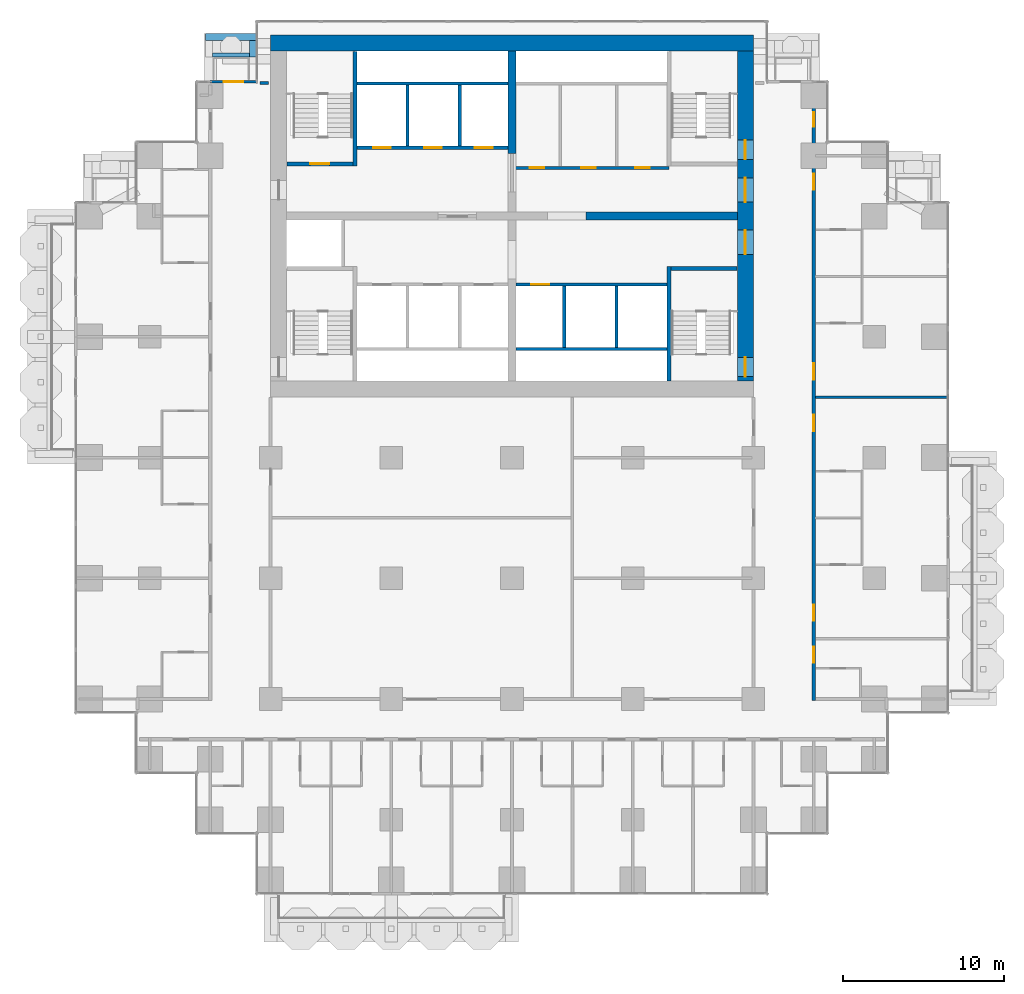
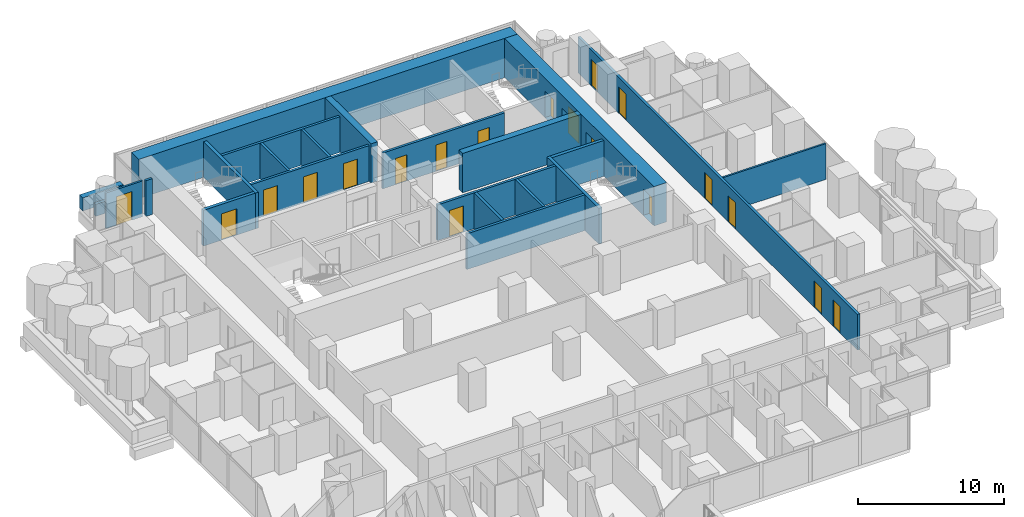
# One storey, part 13 of 17: 24 walls, 19 doors, 19 openings.
"""IFC4 building model written with IfcOpenShell, lengths in metres."""

from ifc_helpers import new_model, si_unit, direction, frame, frame_2d, origin, place, context, subcontext, project, spatial, rectangle, extrude, material, layer, layer_set, type_object, element, fill, save


model = new_model("IFC4")

# Units and contexts
model_context = context("Model", 3, precision=1e-05, world=origin(), true_north=direction((0.0, 1.0)))
body_context = subcontext(model_context, "Body", "Model", "MODEL_VIEW")
ifc_project = project(units=[si_unit("LENGTHUNIT", "METRE"), si_unit("AREAUNIT", "SQUARE_METRE"), si_unit("VOLUMEUNIT", "CUBIC_METRE"), si_unit("PLANEANGLEUNIT", "RADIAN"), si_unit("MASSUNIT", "GRAM", prefix="KILO")], contexts=[model_context])

# Site, building, storey
site_placement = place(None, origin())
site = spatial("IfcSite", under=ifc_project, at=site_placement, CompositionType="ELEMENT")
building_placement = place(site_placement, origin())
building = spatial("IfcBuilding", under=site, at=building_placement, Name="Pilkhan Gate Tower", CompositionType="ELEMENT")
storey_placement = place(building_placement, frame((0.0, 0.0, 49.39990234375)))
storey = spatial("IfcBuildingStorey", under=building, at=storey_placement, Name="L09", CompositionType="ELEMENT", Elevation=49.39990234375)

# Walls
ifc_material_1 = material(Name="Concrete C40/50", Category="concrete")
ifc_layer_1 = layer(ifc_material_1, 0.25)
ifc_layer_set_1 = layer_set([ifc_layer_1], Name="Balcony planter BP250")
wall_type_1 = type_object("IfcWallType", Name="Balcony planter BP250", PredefinedType="USERDEFINED", material=ifc_layer_set_1)
wall_1_placement = place(storey_placement, frame((56.39990234375, 92.52490234375, 0.0), z_axis=(0.0, 0.0, 1.0), x_axis=(1.0, 0.0, 0.0)))
element("IfcWall", 1, at=wall_1_placement, inside=storey, type_object=wall_type_1, Name="Balcony planter L09 N", ObjectType="BALCONY PLANTER", PredefinedType="USERDEFINED", context=body_context, shape_type="SweptSolid", body=[
    extrude(rectangle(XDim=2.300048828125, YDim=0.25, at=frame_2d((1.14990234375, 0.0))), origin(), (0.0, 0.0, 1.0), 1.0),
])
ifc_material_2 = material(Name="Board-marked Concrete C40/50", Category="concrete")
ifc_layer_2 = layer(ifc_material_2, 0.449951171875)
ifc_layer_set_2 = layer_set([ifc_layer_2], Name="Balcony planter lip BL450")
wall_type_2 = type_object("IfcWallType", Name="Balcony planter lip BL450", PredefinedType="USERDEFINED", material=ifc_layer_set_2)
wall_2_placement = place(storey_placement, frame((55.949951171875, 93.625, 0.0), z_axis=(0.0, 0.0, 1.0), x_axis=(1.0, 0.0, 0.0)))
element("IfcWall", 2, at=wall_2_placement, inside=storey, type_object=wall_type_2, Name="Balcony planter L09 N", ObjectType="BALCONY PLANTER", PredefinedType="USERDEFINED", context=body_context, shape_type="SweptSolid", body=[
    extrude(rectangle(XDim=3.199951171875, YDim=0.449951171875, at=frame_2d((1.60009765625, 0.0))), origin(), (0.0, 0.0, 1.0), 1.10009765625),
])
wall_3_placement = place(storey_placement, frame((58.925048828125, 92.39990234375, 0.0), z_axis=(0.0, 0.0, 1.0), x_axis=(0.0, 1.0, 0.0)))
element("IfcWall", 3, at=wall_3_placement, inside=storey, type_object=wall_type_2, Name="Balcony planter L09 N", ObjectType="BALCONY PLANTER", PredefinedType="USERDEFINED", context=body_context, shape_type="SweptSolid", body=[
    extrude(rectangle(XDim=1.0, YDim=0.449951171875, at=frame_2d((0.5, 0.0))), origin(), (0.0, 0.0, 1.0), 1.10009765625),
])

# Wall, openings, doors
ifc_material_3 = material(Name="Concrete C70/85", Category="concrete")
ifc_layer_3 = layer(ifc_material_3, 1.0)
ifc_layer_set_3 = layer_set([ifc_layer_3], Name="Core wall CW1000 C70/85")
wall_type_3 = type_object("IfcWallType", Name="Core wall CW1000 C70/85", PredefinedType="SHEAR", material=ifc_layer_set_3)
wall_4_placement = place(storey_placement, frame((89.5, 72.25, 0.0), z_axis=(0.0, 0.0, 1.0), x_axis=(0.0, 1.0, 0.0)))
wall_4 = element("IfcWall", 4, at=wall_4_placement, inside=storey, type_object=wall_type_3, Name="Core wall E L09", PredefinedType="SHEAR", context=body_context, shape_type="SweptSolid", body=[
    extrude(rectangle(XDim=20.5, YDim=1.0, at=frame_2d((10.25, 0.0))), origin(), (0.0, 0.0, 1.0), 3.300048828125),
])
opening_1_placement = place(wall_4_placement, frame((0.27490234375, 0.0, 0.0)))
opening_1 = element("IfcOpeningElement", 5, at=opening_1_placement, cuts=wall_4, Name="Opening L09-03", PredefinedType="OPENING", context=body_context, shape_type="SweptSolid", body=[
    extrude(rectangle(XDim=1.199951171875, YDim=2.199951171875, at=frame_2d((0.60009765625, 1.10009765625))), frame((0.0, 0.510009765625, 0.0), z_axis=(0.0, -1.0, 0.0), x_axis=(1.0, 0.0, 0.0)), (0.0, 0.0, 1.0), 1.02001953125),
])
opening_2_placement = place(wall_4_placement, frame((13.77490234375, 0.0, 0.0)))
opening_2 = element("IfcOpeningElement", 6, at=opening_2_placement, cuts=wall_4, Name="Opening L09-05", PredefinedType="OPENING", context=body_context, shape_type="SweptSolid", body=[
    extrude(rectangle(XDim=1.199951171875, YDim=2.199951171875, at=frame_2d((0.60009765625, 1.10009765625))), frame((0.0, 0.510009765625, 0.0), z_axis=(0.0, -1.0, 0.0), x_axis=(1.0, 0.0, 0.0)), (0.0, 0.0, 1.0), 1.02001953125),
])
opening_3_placement = place(wall_4_placement, frame((7.875, 0.0, 0.0)))
opening_3 = element("IfcOpeningElement", 7, at=opening_3_placement, cuts=wall_4, Name="Opening L09-46", PredefinedType="OPENING", context=body_context, shape_type="SweptSolid", body=[
    extrude(rectangle(XDim=1.5, YDim=2.199951171875, at=frame_2d((0.75, 1.10009765625))), frame((0.0, 0.510009765625, 0.0), z_axis=(0.0, -1.0, 0.0), x_axis=(1.0, 0.0, 0.0)), (0.0, 0.0, 1.0), 1.02001953125),
])
opening_4_placement = place(wall_4_placement, frame((11.125, 0.0, 0.0)))
opening_4 = element("IfcOpeningElement", 8, at=opening_4_placement, cuts=wall_4, Name="Opening L09-48", PredefinedType="OPENING", context=body_context, shape_type="SweptSolid", body=[
    extrude(rectangle(XDim=1.5, YDim=2.199951171875, at=frame_2d((0.75, 1.10009765625))), frame((0.0, 0.510009765625, 0.0), z_axis=(0.0, -1.0, 0.0), x_axis=(1.0, 0.0, 0.0)), (0.0, 0.0, 1.0), 1.02001953125),
])
ifc_material_4 = material(Name="Steel framed glazed door, 60 minute fire resisting", Category="steel")
door_type_1 = type_object("IfcDoorType", Name="Lobby door D09 1500x2200", OperationType="DOUBLE_DOOR_SINGLE_SWING", PredefinedType="DOOR", material=ifc_material_4)
door_1_placement = place(opening_3_placement, origin())
door_1 = element("IfcDoor", 9, at=door_1_placement, inside=storey, type_object=door_type_1, Name="Core door", OperationType="DOUBLE_DOOR_SINGLE_SWING", OverallHeight=2.199951171875, OverallWidth=1.5, PredefinedType="DOOR", context=body_context, shape_type="SweptSolid", body=[
    extrude(rectangle(XDim=1.5, YDim=2.199951171875, at=frame_2d((0.75, 1.10009765625))), frame((0.0, 0.02490234375, 0.0), z_axis=(0.0, -1.0, 0.0), x_axis=(1.0, 0.0, 0.0)), (0.0, 0.0, 1.0), 0.050048828125),
])
fill(opening_3, door_1)
door_2_placement = place(opening_4_placement, origin())
door_2 = element("IfcDoor", 10, at=door_2_placement, inside=storey, type_object=door_type_1, Name="Core door", OperationType="DOUBLE_DOOR_SINGLE_SWING", OverallHeight=2.199951171875, OverallWidth=1.5, PredefinedType="DOOR", context=body_context, shape_type="SweptSolid", body=[
    extrude(rectangle(XDim=1.5, YDim=2.199951171875, at=frame_2d((0.75, 1.10009765625))), frame((0.0, 0.02490234375, 0.0), z_axis=(0.0, -1.0, 0.0), x_axis=(1.0, 0.0, 0.0)), (0.0, 0.0, 1.0), 0.050048828125),
])
fill(opening_4, door_2)
ifc_material_5 = material(Name="Steel door, 120 minute fire resisting, panic bar", Category="steel")
door_type_2 = type_object("IfcDoorType", Name="Stair door D11 1200x2200", OperationType="SINGLE_SWING_LEFT", PredefinedType="DOOR", material=ifc_material_5)
door_3_placement = place(opening_1_placement, origin())
door_3 = element("IfcDoor", 11, at=door_3_placement, inside=storey, type_object=door_type_2, Name="Stair ST1 door", OperationType="SINGLE_SWING_LEFT", OverallHeight=2.199951171875, OverallWidth=1.199951171875, PredefinedType="DOOR", context=body_context, shape_type="SweptSolid", body=[
    extrude(rectangle(XDim=1.199951171875, YDim=2.199951171875, at=frame_2d((0.60009765625, 1.10009765625))), frame((0.0, 0.02490234375, 0.0), z_axis=(0.0, -1.0, 0.0), x_axis=(1.0, 0.0, 0.0)), (0.0, 0.0, 1.0), 0.050048828125),
])
fill(opening_1, door_3)
door_4_placement = place(opening_2_placement, origin())
door_4 = element("IfcDoor", 12, at=door_4_placement, inside=storey, type_object=door_type_2, Name="Stair ST4 door", OperationType="SINGLE_SWING_RIGHT", OverallHeight=2.199951171875, OverallWidth=1.199951171875, PredefinedType="DOOR", context=body_context, shape_type="SweptSolid", body=[
    extrude(rectangle(XDim=1.199951171875, YDim=2.199951171875, at=frame_2d((0.60009765625, 1.10009765625))), frame((0.0, 0.02490234375, 0.0), z_axis=(0.0, -1.0, 0.0), x_axis=(1.0, 0.0, 0.0)), (0.0, 0.0, 1.0), 0.050048828125),
])
fill(opening_2, door_4)

# Walls
wall_5_placement = place(storey_placement, frame((90.0, 93.25, 0.0), z_axis=(0.0, 0.0, 1.0), x_axis=(-1.0, 0.0, 0.0)))
element("IfcWall", 13, at=wall_5_placement, inside=storey, type_object=wall_type_3, Name="Core wall N L09", PredefinedType="SHEAR", context=body_context, shape_type="SweptSolid", body=[
    extrude(rectangle(XDim=30.0, YDim=1.0, at=frame_2d((15.0, 0.0))), origin(), (0.0, 0.0, 1.0), 3.300048828125),
])
ifc_material_6 = material(Name="Dense blockwork", Category="masonry")
ifc_layer_4 = layer(ifc_material_6, 0.199951171875)
ifc_layer_set_4 = layer_set([ifc_layer_4], Name="Corridor wall FW200")
wall_type_4 = type_object("IfcWallType", Name="Corridor wall FW200", PredefinedType="PARTITIONING", material=ifc_layer_set_4)
wall_6_placement = place(storey_placement, frame((59.35498046875, 90.764892578125, 0.0), z_axis=(0.0, 0.0, 1.0), x_axis=(1.0, 0.0, 0.0)))
element("IfcWall", 14, at=wall_6_placement, inside=storey, type_object=wall_type_4, Name="Partition L09", PredefinedType="PARTITIONING", context=body_context, shape_type="SweptSolid", body=[
    extrude(rectangle(XDim=0.52490234375, YDim=0.199951171875, at=frame_2d((0.262451171875, 0.0))), origin(), (0.0, 0.0, 1.0), 3.0),
])

# Wall, openings, doors
wall_7_placement = place(storey_placement, frame((93.75, 52.39990234375, 0.0), z_axis=(0.0, 0.0, 1.0), x_axis=(0.0, 1.0, 0.0)))
wall_7 = element("IfcWall", 15, at=wall_7_placement, inside=storey, type_object=wall_type_4, Name="Partition L09", PredefinedType="PARTITIONING", context=body_context, shape_type="SweptSolid", body=[
    extrude(rectangle(XDim=38.364990234375, YDim=0.199951171875, at=frame_2d((19.1826171875, 0.0))), origin(), (0.0, 0.0, 1.0), 3.0),
])
opening_5_placement = place(wall_7_placement, frame((2.35009765625, 0.0, 0.0)))
opening_5 = element("IfcOpeningElement", 16, at=opening_5_placement, cuts=wall_7, Name="Opening L09-36", PredefinedType="OPENING", context=body_context, shape_type="SweptSolid", body=[
    extrude(rectangle(XDim=1.0, YDim=2.199951171875, at=frame_2d((0.5, 1.10009765625))), frame((0.0, 0.10986328125, 0.0), z_axis=(0.0, -1.0, 0.0), x_axis=(1.0, 0.0, 0.0)), (0.0, 0.0, 1.0), 0.219970703125),
])
opening_6_placement = place(wall_7_placement, frame((4.949951171875, 0.0, 0.0)))
opening_6 = element("IfcOpeningElement", 17, at=opening_6_placement, cuts=wall_7, Name="Opening L09-38", PredefinedType="OPENING", context=body_context, shape_type="SweptSolid", body=[
    extrude(rectangle(XDim=1.0, YDim=2.199951171875, at=frame_2d((0.5, 1.10009765625))), frame((0.0, 0.10986328125, 0.0), z_axis=(0.0, -1.0, 0.0), x_axis=(1.0, 0.0, 0.0)), (0.0, 0.0, 1.0), 0.219970703125),
])
opening_7_placement = place(wall_7_placement, frame((16.75, 0.0, 0.0)))
opening_7 = element("IfcOpeningElement", 18, at=opening_7_placement, cuts=wall_7, Name="Opening L09-40", PredefinedType="OPENING", context=body_context, shape_type="SweptSolid", body=[
    extrude(rectangle(XDim=1.0, YDim=2.199951171875, at=frame_2d((0.5, 1.10009765625))), frame((0.0, 0.10986328125, 0.0), z_axis=(0.0, -1.0, 0.0), x_axis=(1.0, 0.0, 0.0)), (0.0, 0.0, 1.0), 0.219970703125),
])
opening_8_placement = place(wall_7_placement, frame((19.949951171875, 0.0, 0.0)))
opening_8 = element("IfcOpeningElement", 19, at=opening_8_placement, cuts=wall_7, Name="Opening L09-42", PredefinedType="OPENING", context=body_context, shape_type="SweptSolid", body=[
    extrude(rectangle(XDim=1.0, YDim=2.199951171875, at=frame_2d((0.5, 1.10009765625))), frame((0.0, 0.10986328125, 0.0), z_axis=(0.0, -1.0, 0.0), x_axis=(1.0, 0.0, 0.0)), (0.0, 0.0, 1.0), 0.219970703125),
])
opening_9_placement = place(wall_7_placement, frame((31.75, 0.0, 0.0)))
opening_9 = element("IfcOpeningElement", 20, at=opening_9_placement, cuts=wall_7, Name="Opening L09-44", PredefinedType="OPENING", context=body_context, shape_type="SweptSolid", body=[
    extrude(rectangle(XDim=1.0, YDim=2.199951171875, at=frame_2d((0.5, 1.10009765625))), frame((0.0, 0.10986328125, 0.0), z_axis=(0.0, -1.0, 0.0), x_axis=(1.0, 0.0, 0.0)), (0.0, 0.0, 1.0), 0.219970703125),
])
opening_10_placement = place(wall_7_placement, frame((35.64990234375, 0.0, 0.0)))
opening_10 = element("IfcOpeningElement", 21, at=opening_10_placement, cuts=wall_7, Name="Opening L09-54", PredefinedType="OPENING", context=body_context, shape_type="SweptSolid", body=[
    extrude(rectangle(XDim=0.89990234375, YDim=2.199951171875, at=frame_2d((0.449951171875, 1.10009765625))), frame((0.0, 0.10986328125, 0.0), z_axis=(0.0, -1.0, 0.0), x_axis=(1.0, 0.0, 0.0)), (0.0, 0.0, 1.0), 0.219970703125),
])
ifc_material_7 = material(Name="Timber flush door, 30 minute fire resisting", Category="wood")
door_type_3 = type_object("IfcDoorType", Name="Guest room door D01 1000x2200", OperationType="SINGLE_SWING_LEFT", PredefinedType="DOOR", material=ifc_material_7)
door_5_placement = place(opening_5_placement, origin())
door_5 = element("IfcDoor", 22, at=door_5_placement, inside=storey, type_object=door_type_3, Name="Guest room door", OperationType="SINGLE_SWING_LEFT", OverallHeight=2.199951171875, OverallWidth=1.0, PredefinedType="DOOR", context=body_context, shape_type="SweptSolid", body=[
    extrude(rectangle(XDim=1.0, YDim=2.199951171875, at=frame_2d((0.5, 1.10009765625))), frame((0.0, 0.02490234375, 0.0), z_axis=(0.0, -1.0, 0.0), x_axis=(1.0, 0.0, 0.0)), (0.0, 0.0, 1.0), 0.050048828125),
])
fill(opening_5, door_5)
door_6_placement = place(opening_6_placement, origin())
door_6 = element("IfcDoor", 23, at=door_6_placement, inside=storey, type_object=door_type_3, Name="Guest room door", OperationType="SINGLE_SWING_LEFT", OverallHeight=2.199951171875, OverallWidth=1.0, PredefinedType="DOOR", context=body_context, shape_type="SweptSolid", body=[
    extrude(rectangle(XDim=1.0, YDim=2.199951171875, at=frame_2d((0.5, 1.10009765625))), frame((0.0, 0.02490234375, 0.0), z_axis=(0.0, -1.0, 0.0), x_axis=(1.0, 0.0, 0.0)), (0.0, 0.0, 1.0), 0.050048828125),
])
fill(opening_6, door_6)
door_7_placement = place(opening_7_placement, origin())
door_7 = element("IfcDoor", 24, at=door_7_placement, inside=storey, type_object=door_type_3, Name="Guest room door", OperationType="SINGLE_SWING_RIGHT", OverallHeight=2.199951171875, OverallWidth=1.0, PredefinedType="DOOR", context=body_context, shape_type="SweptSolid", body=[
    extrude(rectangle(XDim=1.0, YDim=2.199951171875, at=frame_2d((0.5, 1.10009765625))), frame((0.0, 0.02490234375, 0.0), z_axis=(0.0, -1.0, 0.0), x_axis=(1.0, 0.0, 0.0)), (0.0, 0.0, 1.0), 0.050048828125),
])
fill(opening_7, door_7)
door_8_placement = place(opening_8_placement, origin())
door_8 = element("IfcDoor", 25, at=door_8_placement, inside=storey, type_object=door_type_3, Name="Guest room door", OperationType="SINGLE_SWING_RIGHT", OverallHeight=2.199951171875, OverallWidth=1.0, PredefinedType="DOOR", context=body_context, shape_type="SweptSolid", body=[
    extrude(rectangle(XDim=1.0, YDim=2.199951171875, at=frame_2d((0.5, 1.10009765625))), frame((0.0, 0.02490234375, 0.0), z_axis=(0.0, -1.0, 0.0), x_axis=(1.0, 0.0, 0.0)), (0.0, 0.0, 1.0), 0.050048828125),
])
fill(opening_8, door_8)
door_9_placement = place(opening_9_placement, origin())
door_9 = element("IfcDoor", 26, at=door_9_placement, inside=storey, type_object=door_type_3, Name="Guest room door", OperationType="SINGLE_SWING_RIGHT", OverallHeight=2.199951171875, OverallWidth=1.0, PredefinedType="DOOR", context=body_context, shape_type="SweptSolid", body=[
    extrude(rectangle(XDim=1.0, YDim=2.199951171875, at=frame_2d((0.5, 1.10009765625))), frame((0.0, 0.02490234375, 0.0), z_axis=(0.0, -1.0, 0.0), x_axis=(1.0, 0.0, 0.0)), (0.0, 0.0, 1.0), 0.050048828125),
])
fill(opening_9, door_9)
ifc_material_8 = material(Name="Timber flush door, 60 minute fire resisting, self-closing", Category="wood")
door_type_4 = type_object("IfcDoorType", Name="Store door D05 900x2200", OperationType="SINGLE_SWING_LEFT", PredefinedType="DOOR", material=ifc_material_8)
door_10_placement = place(opening_10_placement, origin())
door_10 = element("IfcDoor", 27, at=door_10_placement, inside=storey, type_object=door_type_4, Name="Store door", OperationType="SINGLE_SWING_RIGHT", OverallHeight=2.199951171875, OverallWidth=0.89990234375, PredefinedType="DOOR", context=body_context, shape_type="SweptSolid", body=[
    extrude(rectangle(XDim=0.89990234375, YDim=2.199951171875, at=frame_2d((0.449951171875, 1.10009765625))), frame((0.0, 0.02490234375, 0.0), z_axis=(0.0, -1.0, 0.0), x_axis=(1.0, 0.0, 0.0)), (0.0, 0.0, 1.0), 0.050048828125),
])
fill(opening_10, door_10)

# Wall, opening, door
ifc_material_9 = material(Name="Pale anodised aluminium, clear laminated glazing", Category="aluminium")
ifc_layer_5 = layer(ifc_material_9, 0.14990234375)
ifc_layer_set_5 = layer_set([ifc_layer_5], Name="Facade infill wall IW150")
wall_type_5 = type_object("IfcWallType", Name="Facade infill wall IW150", PredefinedType="SOLIDWALL", material=ifc_layer_set_5)
wall_8_placement = place(storey_placement, frame((56.25, 90.844970703125, 0.0), z_axis=(0.0, 0.0, 1.0), x_axis=(1.0, 0.0, 0.0)))
wall_8 = element("IfcWall", 28, at=wall_8_placement, inside=storey, type_object=wall_type_5, Name="Infill wall L09 N", PredefinedType="SOLIDWALL", context=body_context, shape_type="SweptSolid", body=[
    extrude(rectangle(XDim=2.905029296875, YDim=0.14990234375, at=frame_2d((1.45263671875, 0.0))), origin(), (0.0, 0.0, 1.0), 3.0),
])
opening_11_placement = place(wall_8_placement, frame((0.8525390625, 0.0, 0.0)))
opening_11 = element("IfcOpeningElement", 29, at=opening_11_placement, cuts=wall_8, Name="Opening D1", PredefinedType="OPENING", context=body_context, shape_type="SweptSolid", body=[
    extrude(rectangle(XDim=1.199951171875, YDim=2.39990234375, at=frame_2d((0.60009765625, 1.199951171875))), frame((0.0, 0.0849609375, 0.0), z_axis=(0.0, -1.0, 0.0), x_axis=(1.0, 0.0, 0.0)), (0.0, 0.0, 1.0), 0.169921875),
])
ifc_material_10 = material(Name="Pale anodised aluminium, clear glazing", Category="aluminium")
door_type_5 = type_object("IfcDoorType", Name="Balcony door D1 1200x2400", OperationType="SINGLE_SWING_LEFT", PredefinedType="DOOR", material=ifc_material_10)
door_11_placement = place(opening_11_placement, origin())
door_11 = element("IfcDoor", 30, at=door_11_placement, inside=storey, type_object=door_type_5, Name="Balcony door L09", OperationType="SINGLE_SWING_LEFT", OverallHeight=2.39990234375, OverallWidth=1.199951171875, PredefinedType="DOOR", context=body_context, shape_type="SweptSolid", body=[
    extrude(rectangle(XDim=1.199951171875, YDim=2.39990234375, at=frame_2d((0.60009765625, 1.199951171875))), frame((0.0, 0.02490234375, 0.0), z_axis=(0.0, -1.0, 0.0), x_axis=(1.0, 0.0, 0.0)), (0.0, 0.0, 1.0), 0.050048828125),
])
fill(opening_11, door_11)

# Wall, openings, doors
ifc_layer_6 = layer(ifc_material_6, 0.199951171875)
ifc_layer_set_6 = layer_set([ifc_layer_6], Name="Lobby wall LW200")
wall_type_6 = type_object("IfcWallType", Name="Lobby wall LW200", PredefinedType="PARTITIONING", material=ifc_layer_set_6)
wall_9_placement = place(storey_placement, frame((75.10009765625, 85.5, 0.0), z_axis=(0.0, 0.0, 1.0), x_axis=(1.0, 0.0, 0.0)))
wall_9 = element("IfcWall", 31, at=wall_9_placement, inside=storey, type_object=wall_type_6, Name="Partition L09", PredefinedType="PARTITIONING", context=body_context, shape_type="SweptSolid", body=[
    extrude(rectangle(XDim=9.64990234375, YDim=0.199951171875, at=frame_2d((4.824951171875, 0.0))), origin(), (0.0, 0.0, 1.0), 3.0),
])
opening_12_placement = place(wall_9_placement, frame((1.0, 0.0, 0.0)))
opening_12 = element("IfcOpeningElement", 32, at=opening_12_placement, cuts=wall_9, Name="Opening L09-49", PredefinedType="OPENING", context=body_context, shape_type="SweptSolid", body=[
    extrude(rectangle(XDim=0.89990234375, YDim=2.199951171875, at=frame_2d((0.449951171875, 1.10009765625))), frame((0.0, 0.10986328125, 0.0), z_axis=(0.0, -1.0, 0.0), x_axis=(1.0, 0.0, 0.0)), (0.0, 0.0, 1.0), 0.219970703125),
])
opening_13_placement = place(wall_9_placement, frame((4.199951171875, 0.0, 0.0)))
opening_13 = element("IfcOpeningElement", 33, at=opening_13_placement, cuts=wall_9, Name="Opening L09-50", PredefinedType="OPENING", context=body_context, shape_type="SweptSolid", body=[
    extrude(rectangle(XDim=0.89990234375, YDim=2.199951171875, at=frame_2d((0.449951171875, 1.10009765625))), frame((0.0, 0.10986328125, 0.0), z_axis=(0.0, -1.0, 0.0), x_axis=(1.0, 0.0, 0.0)), (0.0, 0.0, 1.0), 0.219970703125),
])
opening_14_placement = place(wall_9_placement, frame((7.550048828125, 0.0, 0.0)))
opening_14 = element("IfcOpeningElement", 34, at=opening_14_placement, cuts=wall_9, Name="Opening L09-51", PredefinedType="OPENING", context=body_context, shape_type="SweptSolid", body=[
    extrude(rectangle(XDim=0.89990234375, YDim=2.199951171875, at=frame_2d((0.449951171875, 1.10009765625))), frame((0.0, 0.10986328125, 0.0), z_axis=(0.0, -1.0, 0.0), x_axis=(1.0, 0.0, 0.0)), (0.0, 0.0, 1.0), 0.219970703125),
])
door_12_placement = place(opening_13_placement, origin())
door_12 = element("IfcDoor", 35, at=door_12_placement, inside=storey, type_object=door_type_4, Name="Store door", OperationType="SINGLE_SWING_LEFT", OverallHeight=2.199951171875, OverallWidth=0.89990234375, PredefinedType="DOOR", context=body_context, shape_type="SweptSolid", body=[
    extrude(rectangle(XDim=0.89990234375, YDim=2.199951171875, at=frame_2d((0.449951171875, 1.10009765625))), frame((0.0, 0.02490234375, 0.0), z_axis=(0.0, -1.0, 0.0), x_axis=(1.0, 0.0, 0.0)), (0.0, 0.0, 1.0), 0.050048828125),
])
fill(opening_13, door_12)
door_13_placement = place(opening_14_placement, origin())
door_13 = element("IfcDoor", 36, at=door_13_placement, inside=storey, type_object=door_type_4, Name="Store door", OperationType="SINGLE_SWING_RIGHT", OverallHeight=2.199951171875, OverallWidth=0.89990234375, PredefinedType="DOOR", context=body_context, shape_type="SweptSolid", body=[
    extrude(rectangle(XDim=0.89990234375, YDim=2.199951171875, at=frame_2d((0.449951171875, 1.10009765625))), frame((0.0, 0.02490234375, 0.0), z_axis=(0.0, -1.0, 0.0), x_axis=(1.0, 0.0, 0.0)), (0.0, 0.0, 1.0), 0.050048828125),
])
fill(opening_14, door_13)
door_type_6 = type_object("IfcDoorType", Name="Toilet door D06 900x2200", OperationType="SINGLE_SWING_LEFT", PredefinedType="DOOR", material=ifc_material_7)
door_14_placement = place(opening_12_placement, origin())
door_14 = element("IfcDoor", 37, at=door_14_placement, inside=storey, type_object=door_type_6, Name="Toilet door", OperationType="SINGLE_SWING_RIGHT", OverallHeight=2.199951171875, OverallWidth=0.89990234375, PredefinedType="DOOR", context=body_context, shape_type="SweptSolid", body=[
    extrude(rectangle(XDim=0.89990234375, YDim=2.199951171875, at=frame_2d((0.449951171875, 1.10009765625))), frame((0.0, 0.02490234375, 0.0), z_axis=(0.0, -1.0, 0.0), x_axis=(1.0, 0.0, 0.0)), (0.0, 0.0, 1.0), 0.050048828125),
])
fill(opening_12, door_14)

# Walls
ifc_material_11 = material(Name="Blockwork partition, plastered both sides", Category="masonry")
ifc_layer_7 = layer(ifc_material_11, 0.14990234375)
ifc_layer_set_7 = layer_set([ifc_layer_7], Name="Partition PW150")
wall_type_7 = type_object("IfcWallType", Name="Partition PW150", PredefinedType="PARTITIONING", material=ifc_layer_set_7)
wall_10_placement = place(storey_placement, frame((93.85009765625, 71.25, 0.0), z_axis=(0.0, 0.0, 1.0), x_axis=(1.0, 0.0, 0.0)))
element("IfcWall", 38, at=wall_10_placement, inside=storey, type_object=wall_type_7, Name="Partition L09", PredefinedType="PARTITIONING", context=body_context, shape_type="SweptSolid", body=[
    extrude(rectangle(XDim=8.164794921875, YDim=0.14990234375, at=frame_2d((4.08251953125, 0.0))), origin(), (0.0, 0.0, 1.0), 3.0),
])
ifc_material_12 = material(Name="Reinforced blockwork shaft wall, 120 minute fire resisting", Category="masonry")
ifc_layer_8 = layer(ifc_material_12, 0.199951171875)
ifc_layer_set_8 = layer_set([ifc_layer_8], Name="Shaft wall SW200")
wall_type_8 = type_object("IfcWallType", Name="Shaft wall SW200", PredefinedType="PARTITIONING", material=ifc_layer_set_8)
wall_11_placement = place(storey_placement, frame((75.260009765625, 74.25, 0.0), z_axis=(0.0, 0.0, 1.0), x_axis=(1.0, 0.0, 0.0)))
element("IfcWall", 39, at=wall_11_placement, inside=storey, type_object=wall_type_8, Name="Partition L09", PredefinedType="PARTITIONING", context=body_context, shape_type="SweptSolid", body=[
    extrude(rectangle(XDim=9.364990234375, YDim=0.199951171875, at=frame_2d((4.6826171875, 0.0))), origin(), (0.0, 0.0, 1.0), 3.0),
])

# Wall, opening, door
wall_12_placement = place(storey_placement, frame((75.260009765625, 78.25, 0.0), z_axis=(0.0, 0.0, 1.0), x_axis=(1.0, 0.0, 0.0)))
wall_12 = element("IfcWall", 40, at=wall_12_placement, inside=storey, type_object=wall_type_8, Name="Partition L09", PredefinedType="PARTITIONING", context=body_context, shape_type="SweptSolid", body=[
    extrude(rectangle(XDim=9.364990234375, YDim=0.199951171875, at=frame_2d((4.6826171875, 0.0))), origin(), (0.0, 0.0, 1.0), 3.0),
])
opening_15_placement = place(wall_12_placement, frame((0.949951171875, 0.0, 0.0)))
opening_15 = element("IfcOpeningElement", 41, at=opening_15_placement, cuts=wall_12, Name="Opening LD", PredefinedType="OPENING", context=body_context, shape_type="SweptSolid", body=[
    extrude(rectangle(XDim=1.10009765625, YDim=2.199951171875, at=frame_2d((0.550048828125, 1.10009765625))), frame((0.0, 0.10986328125, 0.0), z_axis=(0.0, -1.0, 0.0), x_axis=(1.0, 0.0, 0.0)), (0.0, 0.0, 1.0), 0.219970703125),
])
ifc_material_13 = material(Name="Stainless steel centre-opening landing door, 120 minute fire resisting", Category="steel")
door_type_7 = type_object("IfcDoorType", Name="Lift landing door LD 1100x2200", OperationType="DOUBLE_DOOR_SLIDING", PredefinedType="DOOR", material=ifc_material_13)
door_15_placement = place(opening_15_placement, origin())
door_15 = element("IfcDoor", 42, at=door_15_placement, inside=storey, type_object=door_type_7, Name="Landing door LR4", OperationType="DOUBLE_DOOR_SLIDING", OverallHeight=2.199951171875, OverallWidth=1.10009765625, PredefinedType="DOOR", context=body_context, shape_type="SweptSolid", body=[
    extrude(rectangle(XDim=1.10009765625, YDim=2.199951171875, at=frame_2d((0.550048828125, 1.10009765625))), frame((0.0, 0.02490234375, 0.0), z_axis=(0.0, -1.0, 0.0), x_axis=(1.0, 0.0, 0.0)), (0.0, 0.0, 1.0), 0.050048828125),
])
fill(opening_15, door_15)

# Wall, openings, doors
wall_13_placement = place(storey_placement, frame((65.375, 86.75, 0.0), z_axis=(0.0, 0.0, 1.0), x_axis=(1.0, 0.0, 0.0)))
wall_13 = element("IfcWall", 43, at=wall_13_placement, inside=storey, type_object=wall_type_8, Name="Partition L09", PredefinedType="PARTITIONING", context=body_context, shape_type="SweptSolid", body=[
    extrude(rectangle(XDim=9.364990234375, YDim=0.199951171875, at=frame_2d((4.6826171875, 0.0))), origin(), (0.0, 0.0, 1.0), 3.0),
])
opening_16_placement = place(wall_13_placement, frame((1.0, 0.0, 0.0)))
opening_16 = element("IfcOpeningElement", 44, at=opening_16_placement, cuts=wall_13, Name="Opening LD", PredefinedType="OPENING", context=body_context, shape_type="SweptSolid", body=[
    extrude(rectangle(XDim=1.10009765625, YDim=2.199951171875, at=frame_2d((0.550048828125, 1.10009765625))), frame((0.0, 0.10986328125, 0.0), z_axis=(0.0, -1.0, 0.0), x_axis=(1.0, 0.0, 0.0)), (0.0, 0.0, 1.0), 0.219970703125),
])
opening_17_placement = place(wall_13_placement, frame((4.175048828125, 0.0, 0.0)))
opening_17 = element("IfcOpeningElement", 45, at=opening_17_placement, cuts=wall_13, Name="Opening LD", PredefinedType="OPENING", context=body_context, shape_type="SweptSolid", body=[
    extrude(rectangle(XDim=1.10009765625, YDim=2.199951171875, at=frame_2d((0.550048828125, 1.10009765625))), frame((0.0, 0.10986328125, 0.0), z_axis=(0.0, -1.0, 0.0), x_axis=(1.0, 0.0, 0.0)), (0.0, 0.0, 1.0), 0.219970703125),
])
opening_18_placement = place(wall_13_placement, frame((7.324951171875, 0.0, 0.0)))
opening_18 = element("IfcOpeningElement", 46, at=opening_18_placement, cuts=wall_13, Name="Opening LD", PredefinedType="OPENING", context=body_context, shape_type="SweptSolid", body=[
    extrude(rectangle(XDim=1.10009765625, YDim=2.199951171875, at=frame_2d((0.550048828125, 1.10009765625))), frame((0.0, 0.10986328125, 0.0), z_axis=(0.0, -1.0, 0.0), x_axis=(1.0, 0.0, 0.0)), (0.0, 0.0, 1.0), 0.219970703125),
])
door_16_placement = place(opening_16_placement, origin())
door_16 = element("IfcDoor", 47, at=door_16_placement, inside=storey, type_object=door_type_7, Name="Landing door FF1", OperationType="DOUBLE_DOOR_SLIDING", OverallHeight=2.199951171875, OverallWidth=1.10009765625, PredefinedType="DOOR", context=body_context, shape_type="SweptSolid", body=[
    extrude(rectangle(XDim=1.10009765625, YDim=2.199951171875, at=frame_2d((0.550048828125, 1.10009765625))), frame((0.0, 0.02490234375, 0.0), z_axis=(0.0, -1.0, 0.0), x_axis=(1.0, 0.0, 0.0)), (0.0, 0.0, 1.0), 0.050048828125),
])
fill(opening_16, door_16)
door_17_placement = place(opening_17_placement, origin())
door_17 = element("IfcDoor", 48, at=door_17_placement, inside=storey, type_object=door_type_7, Name="Landing door FF2", OperationType="DOUBLE_DOOR_SLIDING", OverallHeight=2.199951171875, OverallWidth=1.10009765625, PredefinedType="DOOR", context=body_context, shape_type="SweptSolid", body=[
    extrude(rectangle(XDim=1.10009765625, YDim=2.199951171875, at=frame_2d((0.550048828125, 1.10009765625))), frame((0.0, 0.02490234375, 0.0), z_axis=(0.0, -1.0, 0.0), x_axis=(1.0, 0.0, 0.0)), (0.0, 0.0, 1.0), 0.050048828125),
])
fill(opening_17, door_17)
door_18_placement = place(opening_18_placement, origin())
door_18 = element("IfcDoor", 49, at=door_18_placement, inside=storey, type_object=door_type_7, Name="Landing door SV1", OperationType="DOUBLE_DOOR_SLIDING", OverallHeight=2.199951171875, OverallWidth=1.10009765625, PredefinedType="DOOR", context=body_context, shape_type="SweptSolid", body=[
    extrude(rectangle(XDim=1.10009765625, YDim=2.199951171875, at=frame_2d((0.550048828125, 1.10009765625))), frame((0.0, 0.02490234375, 0.0), z_axis=(0.0, -1.0, 0.0), x_axis=(1.0, 0.0, 0.0)), (0.0, 0.0, 1.0), 0.050048828125),
])
fill(opening_18, door_18)

# Walls
wall_14_placement = place(storey_placement, frame((65.375, 90.75, 0.0), z_axis=(0.0, 0.0, 1.0), x_axis=(1.0, 0.0, 0.0)))
element("IfcWall", 50, at=wall_14_placement, inside=storey, type_object=wall_type_8, Name="Partition L09", PredefinedType="PARTITIONING", context=body_context, shape_type="SweptSolid", body=[
    extrude(rectangle(XDim=9.364990234375, YDim=0.199951171875, at=frame_2d((4.6826171875, 0.0))), origin(), (0.0, 0.0, 1.0), 3.0),
])
for number, where, z_axis, x_axis, name in (
    (51, (68.5, 86.85009765625, 0.0), (0.0, 0.0, 1.0), (0.0, 1.0, 0.0), "Partition L09"),
    (52, (71.75, 86.85009765625, 0.0), (0.0, 0.0, 1.0), (0.0, 1.0, 0.0), "Partition L09"),
    (53, (78.25, 74.35009765625, 0.0), (0.0, 0.0, 1.0), (0.0, 1.0, 0.0), "Partition L09"),
    (54, (81.5, 74.35009765625, 0.0), (0.0, 0.0, 1.0), (0.0, 1.0, 0.0), "Partition L09"),
):
    element("IfcWall", number, at=place(storey_placement, frame(where, z_axis=z_axis, x_axis=x_axis)), inside=storey, type_object=wall_type_8, Name=name, PredefinedType="PARTITIONING", context=body_context, shape_type="SweptSolid", body=[
        extrude(rectangle(XDim=3.7998046875, YDim=0.199951171875, at=frame_2d((1.89990234375, 0.0))), origin(), (0.0, 0.0, 1.0), 3.0),
    ])
ifc_layer_9 = layer(ifc_material_3, 0.5)
ifc_layer_set_9 = layer_set([ifc_layer_9], Name="Spine wall SW500 C70/85")
wall_type_9 = type_object("IfcWallType", Name="Spine wall SW500 C70/85", PredefinedType="SHEAR", material=ifc_layer_set_9)
wall_15_placement = place(storey_placement, frame((79.60009765625, 82.5, 0.0), z_axis=(0.0, 0.0, 1.0), x_axis=(1.0, 0.0, 0.0)))
element("IfcWall", 55, at=wall_15_placement, inside=storey, type_object=wall_type_9, Name="Spine wall SP-EW3 L09", PredefinedType="SHEAR", context=body_context, shape_type="SweptSolid", body=[
    extrude(rectangle(XDim=9.39990234375, YDim=0.5, at=frame_2d((4.699951171875, 0.0))), origin(), (0.0, 0.0, 1.0), 3.300048828125),
])
wall_16_placement = place(storey_placement, frame((75.0, 86.39990234375, 0.0), z_axis=(0.0, 0.0, 1.0), x_axis=(0.0, 1.0, 0.0)))
element("IfcWall", 56, at=wall_16_placement, inside=storey, type_object=wall_type_9, Name="Spine wall SP-NS-N2 L09", PredefinedType="SHEAR", context=body_context, shape_type="SweptSolid", body=[
    extrude(rectangle(XDim=6.35009765625, YDim=0.5, at=frame_2d((3.175048828125, 0.0))), origin(), (0.0, 0.0, 1.0), 3.300048828125),
])
ifc_material_14 = material(Name="Reinforced blockwork, 120 minute fire resisting", Category="masonry")
ifc_layer_10 = layer(ifc_material_14, 0.25)
ifc_layer_set_10 = layer_set([ifc_layer_10], Name="Stair enclosure wall SE250")
wall_type_10 = type_object("IfcWallType", Name="Stair enclosure wall SE250", PredefinedType="PARTITIONING", material=ifc_layer_set_10)
wall_17_placement = place(storey_placement, frame((84.875, 79.25, 0.0), z_axis=(0.0, 0.0, 1.0), x_axis=(1.0, 0.0, 0.0)))
element("IfcWall", 57, at=wall_17_placement, inside=storey, type_object=wall_type_10, Name="Partition L09", PredefinedType="PARTITIONING", context=body_context, shape_type="SweptSolid", body=[
    extrude(rectangle(XDim=4.114990234375, YDim=0.25, at=frame_2d((2.0576171875, 0.0))), origin(), (0.0, 0.0, 1.0), 3.0),
])

# Wall, opening, door
wall_18_placement = place(storey_placement, frame((61.010009765625, 85.75, 0.0), z_axis=(0.0, 0.0, 1.0), x_axis=(1.0, 0.0, 0.0)))
wall_18 = element("IfcWall", 58, at=wall_18_placement, inside=storey, type_object=wall_type_10, Name="Partition L09", PredefinedType="PARTITIONING", context=body_context, shape_type="SweptSolid", body=[
    extrude(rectangle(XDim=4.114990234375, YDim=0.25, at=frame_2d((2.0576171875, 0.0))), origin(), (0.0, 0.0, 1.0), 3.0),
])
opening_19_placement = place(wall_18_placement, frame((1.449951171875, 0.0, 0.0)))
opening_19 = element("IfcOpeningElement", 59, at=opening_19_placement, cuts=wall_18, Name="Opening L09-02", PredefinedType="OPENING", context=body_context, shape_type="SweptSolid", body=[
    extrude(rectangle(XDim=1.199951171875, YDim=2.199951171875, at=frame_2d((0.60009765625, 1.10009765625))), frame((0.0, 0.135009765625, 0.0), z_axis=(0.0, -1.0, 0.0), x_axis=(1.0, 0.0, 0.0)), (0.0, 0.0, 1.0), 0.27001953125),
])
door_19_placement = place(opening_19_placement, origin())
door_19 = element("IfcDoor", 60, at=door_19_placement, inside=storey, type_object=door_type_2, Name="Stair ST3 lobby door", OperationType="SINGLE_SWING_RIGHT", OverallHeight=2.199951171875, OverallWidth=1.199951171875, PredefinedType="DOOR", context=body_context, shape_type="SweptSolid", body=[
    extrude(rectangle(XDim=1.199951171875, YDim=2.199951171875, at=frame_2d((0.60009765625, 1.10009765625))), frame((0.0, 0.02490234375, 0.0), z_axis=(0.0, -1.0, 0.0), x_axis=(1.0, 0.0, 0.0)), (0.0, 0.0, 1.0), 0.050048828125),
])
fill(opening_19, door_19)

# Walls
for number, where, z_axis, x_axis, name in (
    (61, (65.25, 85.625, 0.0), (0.0, 0.0, 1.0), (0.0, 1.0, 0.0), "Partition L09"),
    (62, (84.75, 72.260009765625, 0.0), (0.0, 0.0, 1.0), (0.0, 1.0, 0.0), "Partition L09"),
):
    element("IfcWall", number, at=place(storey_placement, frame(where, z_axis=z_axis, x_axis=x_axis)), inside=storey, type_object=wall_type_10, Name=name, PredefinedType="PARTITIONING", context=body_context, shape_type="SweptSolid", body=[
        extrude(rectangle(XDim=7.114990234375, YDim=0.25, at=frame_2d((3.5576171875, 0.0))), origin(), (0.0, 0.0, 1.0), 3.0),
    ])

save(model, "model.ifc")
